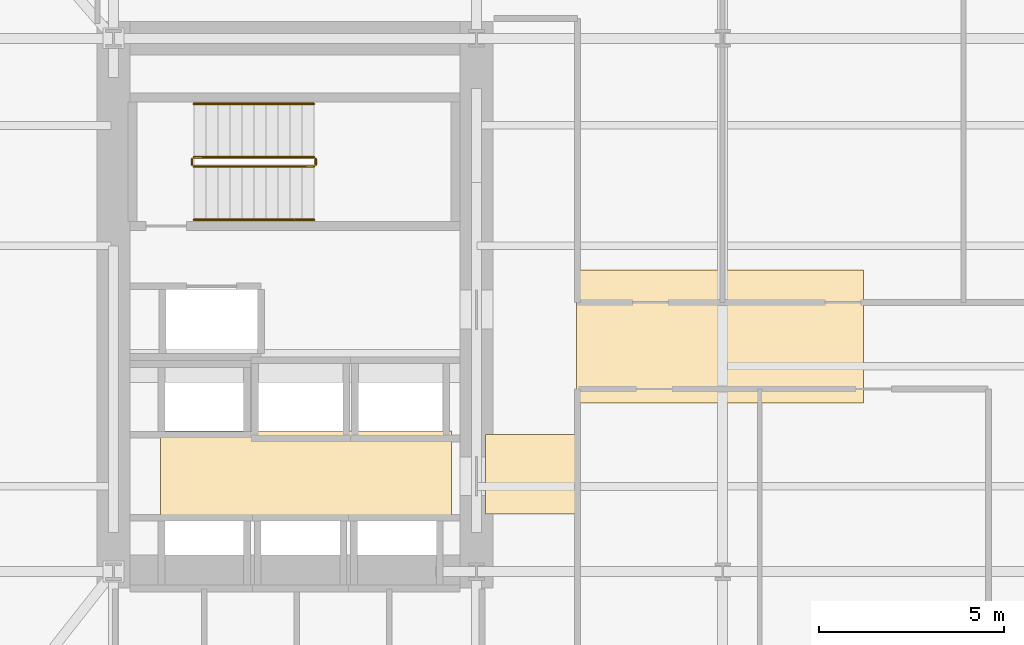
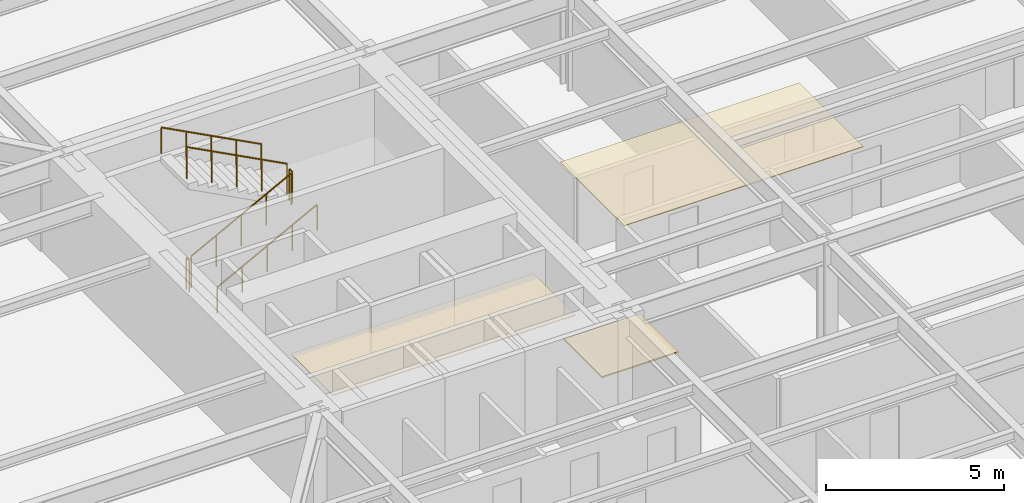
# One storey, part 10 of 15: 6 railings, 3 coverings.
"""IFC4 building model written with IfcOpenShell, lengths in metres."""

from ifc_helpers import new_model, si_unit, direction, frame, origin, origin_2d, place, context, subcontext, project, spatial, polyline, circle, outline, extrude, material, layer, layer_set, type_object, element, save


model = new_model("IFC4")

# Units and contexts
model_context = context("Model", 3, precision=1e-05, world=origin(), true_north=direction((0.0, 1.0)))
body_context = subcontext(model_context, "Body", "Model", "MODEL_VIEW")
ifc_project = project(units=[si_unit("LENGTHUNIT", "METRE"), si_unit("AREAUNIT", "SQUARE_METRE"), si_unit("VOLUMEUNIT", "CUBIC_METRE"), si_unit("PLANEANGLEUNIT", "RADIAN"), si_unit("MASSUNIT", "GRAM", prefix="KILO")], contexts=[model_context])

# Site, building, storey
site_placement = place(None, origin())
site = spatial("IfcSite", under=ifc_project, at=site_placement, CompositionType="ELEMENT")
building_placement = place(site_placement, origin())
building = spatial("IfcBuilding", under=site, at=building_placement, Name="Kolvaren Arena Tower", CompositionType="ELEMENT")
storey_placement = place(building_placement, frame((0.0, 0.0, 83.25)))
storey = spatial("IfcBuildingStorey", under=building, at=storey_placement, Name="L18", CompositionType="ELEMENT", Elevation=83.25)

# Coverings
ifc_material_1 = material(Name="Mineral fibre acoustic ceiling tile", Category="gypsum")
ifc_layer_1 = layer(ifc_material_1, 0.02490234375)
ifc_layer_set_1 = layer_set([ifc_layer_1], Name="Mineral fibre acoustic ceiling tile")
covering_type_1 = type_object("IfcCoveringType", Name="CEIL-ACT-1", PredefinedType="CEILING", material=ifc_layer_set_1)
covering_1_placement = place(storey_placement, frame((0.0, 0.0, 2.52001953125)))
element("IfcCovering", 1, at=covering_1_placement, inside=storey, type_object=covering_type_1, Name="Suspended Ceiling (L18)", PredefinedType="CEILING", context=body_context, shape_type="SweptSolid", body=[
    extrude(outline(polyline([(27.050048828125, 24.0), (27.050048828125, 27.60009765625), (34.800048828125, 27.60009765625), (34.800048828125, 24.0), (27.050048828125, 24.0)])), origin(), (0.0, 0.0, 1.0), 0.02490234375),
])
ifc_material_2 = material(Name="Moisture-resistant gypsum ceiling", Category="gypsum")
ifc_layer_2 = layer(ifc_material_2, 0.030029296875)
ifc_layer_set_2 = layer_set([ifc_layer_2], Name="Moisture-resistant gypsum ceiling")
covering_type_2 = type_object("IfcCoveringType", Name="CEIL-GYP-1", PredefinedType="CEILING", material=ifc_layer_set_2)
covering_2_placement = place(storey_placement, frame((0.0, 0.0, 2.52001953125)))
element("IfcCovering", 2, at=covering_2_placement, inside=storey, type_object=covering_type_2, Name="Suspended Ceiling (L18)", PredefinedType="CEILING", context=body_context, shape_type="SweptSolid", body=[
    extrude(outline(polyline([(15.820068359375, 20.89990234375), (15.820068359375, 23.239990234375), (23.679931640625, 23.239990234375), (23.679931640625, 20.89990234375), (15.820068359375, 20.89990234375)])), origin(), (0.0, 0.0, 1.0), 0.030029296875),
])
ifc_material_3 = material(Name="Raised access office floor finish", Category="aluminium")
ifc_layer_3 = layer(ifc_material_3, 0.044921875)
ifc_layer_set_3 = layer_set([ifc_layer_3], Name="Raised access office floor finish")
covering_type_3 = type_object("IfcCoveringType", Name="FLOR-RAF-1", PredefinedType="FLOORING", material=ifc_layer_set_3)
covering_3_placement = place(storey_placement, origin())
element("IfcCovering", 3, at=covering_3_placement, inside=storey, type_object=covering_type_3, Name="Floor Finish (L18)", PredefinedType="FLOORING", context=body_context, shape_type="SweptSolid", body=[
    extrude(outline(polyline([(24.60009765625, 21.0), (24.60009765625, 23.14990234375), (27.080078125, 23.14990234375), (27.080078125, 21.0), (24.60009765625, 21.0)])), origin(), (0.0, 0.0, 1.0), 0.044921875),
])

# Railings
ifc_material_4 = material(Name="Painted galvanized steel", Category="steel")
railing_type_1 = type_object("IfcRailingType", Name="GUARD-ST-110", PredefinedType="GUARDRAIL", material=ifc_material_4)
railing_1_placement = place(storey_placement, frame((16.719970703125, 30.389892578125, 0.17041015625)))
element("IfcRailing", 4, at=railing_1_placement, inside=storey, type_object=railing_type_1, Name="L18 ST-W1 stair guard 1", PredefinedType="GUARDRAIL", context=body_context, shape_type="SweptSolid", body=[
    extrude(circle(Radius=0.02392578125, at=origin_2d()), frame((0.0, 0.0, 1.076171875), z_axis=(0.884993431791, 0.0, 0.465603506952), x_axis=(0.0, 1.0, 0.0)), (0.0, 0.0, 1.0), 3.6611328125),
    extrude(circle(Radius=0.02099609375, at=origin_2d()), origin(), (0.0, 0.0, 1.0), 1.052001953125),
    extrude(circle(Radius=0.02099609375, at=origin_2d()), frame((0.81005859375, 0.0, 0.42626953125)), (0.0, 0.0, 1.0), 1.052001953125),
    extrude(circle(Radius=0.02099609375, at=origin_2d()), frame((1.6201171875, 0.0, 0.852294921875)), (0.0, 0.0, 1.0), 1.052001953125),
    extrude(circle(Radius=0.02099609375, at=origin_2d()), frame((2.429931640625, 0.0, 1.2783203125)), (0.0, 0.0, 1.0), 1.052001953125),
    extrude(circle(Radius=0.02099609375, at=origin_2d()), frame((3.239990234375, 0.0, 1.70458984375)), (0.0, 0.0, 1.0), 1.052001953125),
])
railing_2_placement = place(storey_placement, frame((20.010009765625, 30.43994140625, 1.875)))
element("IfcRailing", 5, at=railing_2_placement, inside=storey, type_object=railing_type_1, Name="L18 ST-W1 stair guard 2", PredefinedType="GUARDRAIL", context=body_context, shape_type="SweptSolid", body=[
    extrude(circle(Radius=0.02392578125, at=origin_2d()), frame((0.0, 0.0, 1.076171875), z_axis=(0.0, 1.0, 0.0), x_axis=(-1.0, 0.0, 0.0)), (0.0, 0.0, 1.0), 0.150146484375),
    extrude(circle(Radius=0.02099609375, at=origin_2d()), origin(), (0.0, 0.0, 1.0), 1.052001953125),
    extrude(circle(Radius=0.02099609375, at=origin_2d()), frame((0.0, 0.150146484375, 0.0)), (0.0, 0.0, 1.0), 1.052001953125),
])
railing_3_placement = place(storey_placement, frame((19.9599609375, 30.639892578125, 2.04541015625)))
element("IfcRailing", 6, at=railing_3_placement, inside=storey, type_object=railing_type_1, Name="L18 ST-W1 stair guard 3", PredefinedType="GUARDRAIL", context=body_context, shape_type="SweptSolid", body=[
    extrude(circle(Radius=0.02392578125, at=origin_2d()), frame((0.0, 0.0, 1.076171875), z_axis=(-0.884993431791, 0.0, 0.465603506952), x_axis=(0.0, -1.0, 0.0)), (0.0, 0.0, 1.0), 3.6611328125),
    extrude(circle(Radius=0.02099609375, at=origin_2d()), origin(), (0.0, 0.0, 1.0), 1.052001953125),
    extrude(circle(Radius=0.02099609375, at=origin_2d()), frame((-0.81005859375, 0.0, 0.42626953125)), (0.0, 0.0, 1.0), 1.052001953125),
    extrude(circle(Radius=0.02099609375, at=origin_2d()), frame((-1.6201171875, 0.0, 0.852294921875)), (0.0, 0.0, 1.0), 1.052001953125),
    extrude(circle(Radius=0.02099609375, at=origin_2d()), frame((-2.429931640625, 0.0, 1.2783203125)), (0.0, 0.0, 1.0), 1.052001953125),
    extrude(circle(Radius=0.02099609375, at=origin_2d()), frame((-3.239990234375, 0.0, 1.70458984375)), (0.0, 0.0, 1.0), 1.052001953125),
])
railing_4_placement = place(storey_placement, frame((16.669921875, 30.43994140625, 0.0)))
element("IfcRailing", 7, at=railing_4_placement, inside=storey, type_object=railing_type_1, Name="L18 ST-W1 stair guard 4", PredefinedType="GUARDRAIL", context=body_context, shape_type="SweptSolid", body=[
    extrude(circle(Radius=0.02392578125, at=origin_2d()), frame((0.0, 0.0, 1.076171875), z_axis=(0.0, 1.0, 0.0), x_axis=(-1.0, 0.0, 0.0)), (0.0, 0.0, 1.0), 0.150146484375),
    extrude(circle(Radius=0.02099609375, at=origin_2d()), origin(), (0.0, 0.0, 1.0), 1.052001953125),
    extrude(circle(Radius=0.02099609375, at=origin_2d()), frame((0.0, 0.150146484375, 0.0)), (0.0, 0.0, 1.0), 1.052001953125),
])
ifc_material_5 = material(Name="Brushed stainless steel handrail", Category="steel")
railing_type_2 = type_object("IfcRailingType", Name="HRAIL-900", PredefinedType="HANDRAIL", material=ifc_material_5)
railing_5_placement = place(storey_placement, frame((16.719970703125, 28.949951171875, 0.17041015625)))
element("IfcRailing", 8, at=railing_5_placement, inside=storey, type_object=railing_type_2, Name="L18 ST-W1 stair handrail 1", PredefinedType="HANDRAIL", context=body_context, shape_type="SweptSolid", body=[
    extrude(circle(Radius=0.02392578125, at=origin_2d()), frame((0.0, 0.0, 0.8759765625), z_axis=(0.884993431791, 0.0, 0.465603506952), x_axis=(0.0, 1.0, 0.0)), (0.0, 0.0, 1.0), 3.6611328125),
    extrude(circle(Radius=0.02099609375, at=origin_2d()), origin(), (0.0, 0.0, 1.0), 0.851806640625),
    extrude(circle(Radius=0.02099609375, at=origin_2d()), frame((0.81005859375, 0.0, 0.42626953125)), (0.0, 0.0, 1.0), 0.851806640625),
    extrude(circle(Radius=0.02099609375, at=origin_2d()), frame((1.6201171875, 0.0, 0.852294921875)), (0.0, 0.0, 1.0), 0.851806640625),
    extrude(circle(Radius=0.02099609375, at=origin_2d()), frame((2.429931640625, 0.0, 1.2783203125)), (0.0, 0.0, 1.0), 0.851806640625),
    extrude(circle(Radius=0.02099609375, at=origin_2d()), frame((3.239990234375, 0.0, 1.70458984375)), (0.0, 0.0, 1.0), 0.851806640625),
])
railing_6_placement = place(storey_placement, frame((19.9599609375, 32.080078125, 2.04541015625)))
element("IfcRailing", 9, at=railing_6_placement, inside=storey, type_object=railing_type_2, Name="L18 ST-W1 stair handrail 2", PredefinedType="HANDRAIL", context=body_context, shape_type="SweptSolid", body=[
    extrude(circle(Radius=0.02392578125, at=origin_2d()), frame((0.0, 0.0, 0.8759765625), z_axis=(-0.884993431791, 0.0, 0.465603506952), x_axis=(0.0, -1.0, 0.0)), (0.0, 0.0, 1.0), 3.6611328125),
    extrude(circle(Radius=0.02099609375, at=origin_2d()), origin(), (0.0, 0.0, 1.0), 0.851806640625),
    extrude(circle(Radius=0.02099609375, at=origin_2d()), frame((-0.81005859375, 0.0, 0.42626953125)), (0.0, 0.0, 1.0), 0.851806640625),
    extrude(circle(Radius=0.02099609375, at=origin_2d()), frame((-1.6201171875, 0.0, 0.852294921875)), (0.0, 0.0, 1.0), 0.851806640625),
    extrude(circle(Radius=0.02099609375, at=origin_2d()), frame((-2.429931640625, 0.0, 1.2783203125)), (0.0, 0.0, 1.0), 0.851806640625),
    extrude(circle(Radius=0.02099609375, at=origin_2d()), frame((-3.239990234375, 0.0, 1.70458984375)), (0.0, 0.0, 1.0), 0.851806640625),
])

save(model, "model.ifc")
